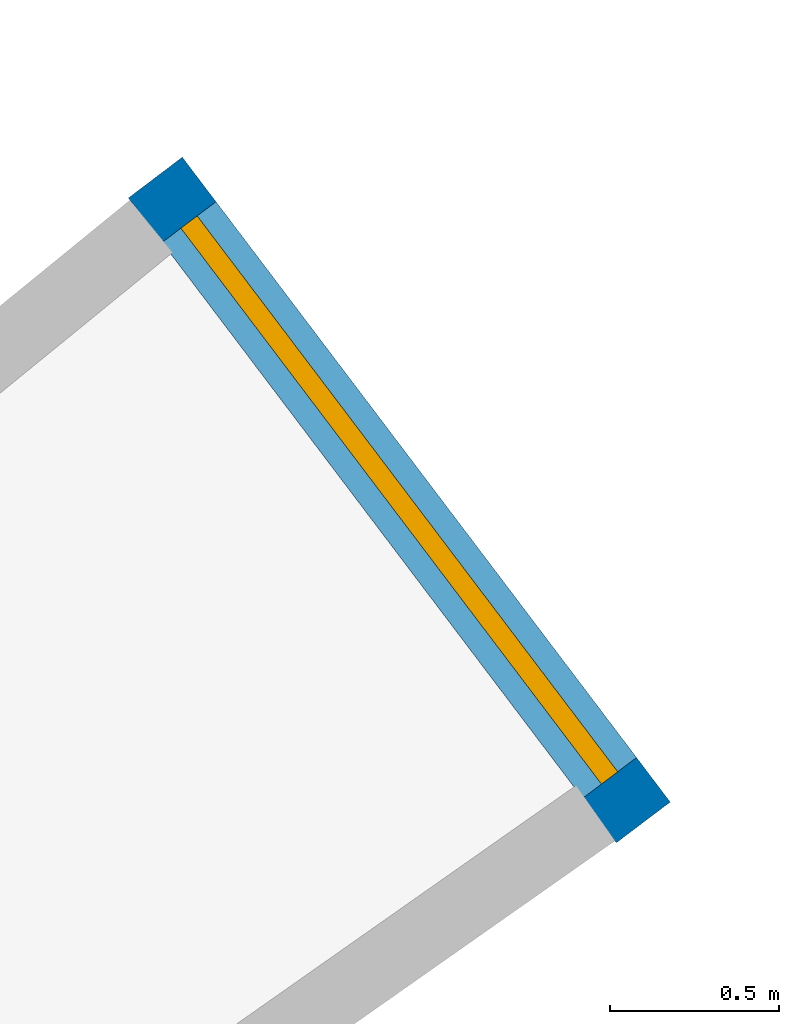
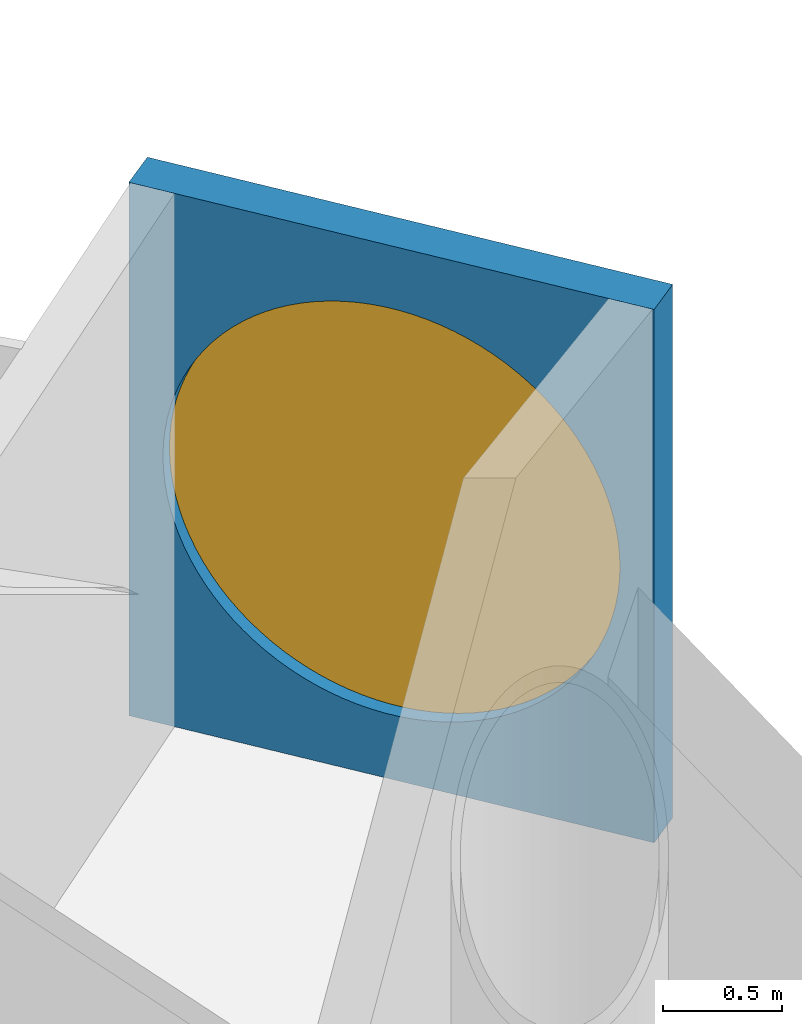
# One storey, part 24 of 28: 1 wall, 1 window, 1 opening.
"""IFC4 building model written with IfcOpenShell, lengths in metres."""

from ifc_helpers import new_model, si_unit, direction, frame, frame_2d, origin, place, context, subcontext, project, spatial, rectangle, circle, extrude, material, layer, layer_set, type_object, element, fill, save


model = new_model("IFC4")

# Units and contexts
model_context = context("Model", 3, precision=1e-05, world=origin(), true_north=direction((0.0, 1.0)))
body_context = subcontext(model_context, "Body", "Model", "MODEL_VIEW")
ifc_project = project(units=[si_unit("LENGTHUNIT", "METRE"), si_unit("AREAUNIT", "SQUARE_METRE"), si_unit("VOLUMEUNIT", "CUBIC_METRE"), si_unit("PLANEANGLEUNIT", "RADIAN"), si_unit("MASSUNIT", "GRAM", prefix="KILO")], contexts=[model_context])

# Site, building, storey
site_placement = place(None, origin())
site = spatial("IfcSite", under=ifc_project, at=site_placement, CompositionType="ELEMENT")
building_placement = place(site_placement, origin())
building = spatial("IfcBuilding", under=site, at=building_placement, Name="Maasbend Ring Residences", CompositionType="ELEMENT")
storey_placement = place(building_placement, frame((0.0, 0.0, 129.949951171875)))
storey = spatial("IfcBuildingStorey", under=building, at=storey_placement, Name="L37", CompositionType="ELEMENT", Elevation=129.949951171875)

# Wall, opening, window
ifc_material_1 = material(Name="Pale anodised aluminium panel", Category="aluminium")
ifc_layer = layer(ifc_material_1, 0.199951171875)
ifc_layer_set = layer_set([ifc_layer], Name="EW-BOX")
wall_type = type_object("IfcWallType", Name="EW-BOX", PredefinedType="SOLIDWALL", material=ifc_layer_set)
wall_placement = place(storey_placement, frame((24.93994140625, 17.382080078125, -0.030029296875), z_axis=(0.0, 0.0, 1.0), x_axis=(-0.603375996329, 0.797456837111, 0.0)))
wall = element("IfcWall", 1, at=wall_placement, inside=storey, type_object=wall_type, Name="Box front N01", PredefinedType="SOLIDWALL", context=body_context, shape_type="SweptSolid", body=[
    extrude(rectangle(XDim=2.391357421875, YDim=0.199951171875, at=frame_2d((1.19580078125, 0.0))), origin(), (0.0, 0.0, 1.0), 2.72998046875),
])
opening_placement = place(wall_placement, frame((0.15576171875, 0.0, 0.330078125)))
opening = element("IfcOpeningElement", 2, at=opening_placement, cuts=wall, Name="Opening W-RD", PredefinedType="OPENING", context=body_context, shape_type="SweptSolid", body=[
    extrude(circle(Radius=1.0400390625, at=frame_2d((1.0400390625, 1.0400390625))), frame((0.0, 0.10986328125, 0.0), z_axis=(0.0, -1.0, 0.0), x_axis=(1.0, 0.0, 0.0)), (0.0, 0.0, 1.0), 0.219970703125),
])
ifc_material_2 = material(Name="Aluminium and clear glass", Category="aluminium")
window_type = type_object("IfcWindowType", Name="W-RD", PartitioningType="SINGLE_PANEL", PredefinedType="WINDOW", material=ifc_material_2)
window_placement = place(opening_placement, origin())
window = element("IfcWindow", 3, at=window_placement, inside=storey, type_object=window_type, Name="Round window N01", OverallHeight=2.080078125, OverallWidth=2.080078125, PartitioningType="SINGLE_PANEL", PredefinedType="WINDOW", context=body_context, shape_type="SweptSolid", body=[
    extrude(circle(Radius=1.0400390625, at=frame_2d((1.0400390625, 1.0400390625))), frame((0.0, 0.030029296875, 0.0), z_axis=(0.0, -1.0, 0.0), x_axis=(1.0, 0.0, 0.0)), (0.0, 0.0, 1.0), 0.06005859375),
])
fill(opening, window)

save(model, "model.ifc")
